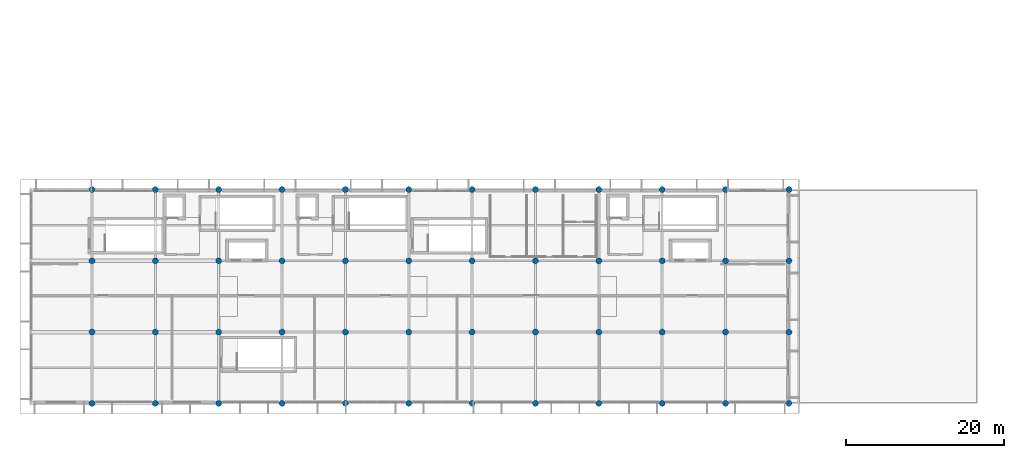
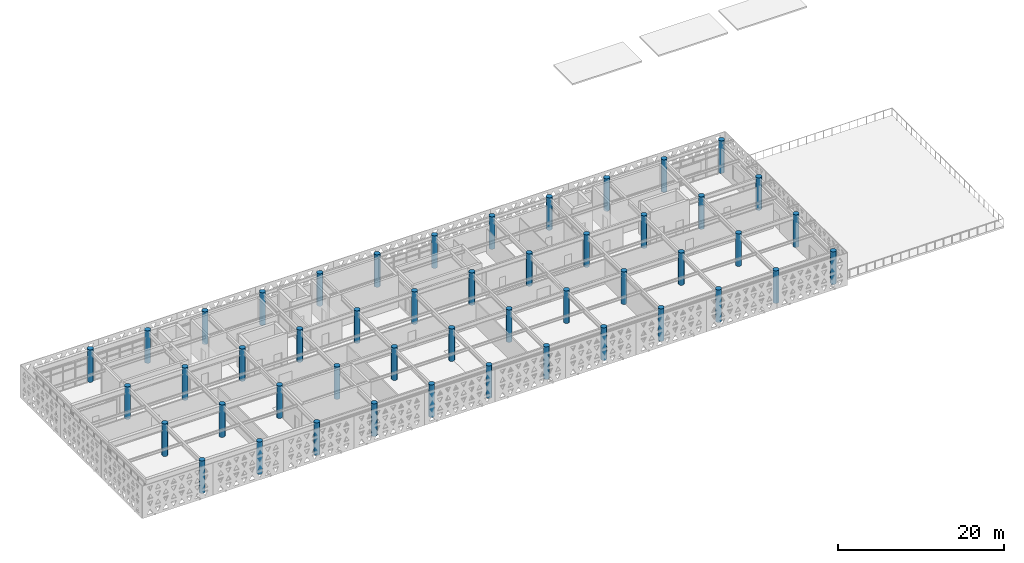
# One storey, part 1 of 26: 48 columns.
"""IFC4 building model written with IfcOpenShell, lengths in metres."""

from ifc_helpers import new_model, si_unit, direction, frame, origin, origin_2d, place, context, subcontext, project, spatial, circle, extrude, material, material_profile, profile_set, type_object, element, save


model = new_model("IFC4")

# Units and contexts
model_context = context("Model", 3, precision=1e-05, world=origin(), true_north=direction((0.0, 1.0)))
body_context = subcontext(model_context, "Body", "Model", "MODEL_VIEW")
ifc_project = project(units=[si_unit("LENGTHUNIT", "METRE"), si_unit("AREAUNIT", "SQUARE_METRE"), si_unit("VOLUMEUNIT", "CUBIC_METRE"), si_unit("PLANEANGLEUNIT", "RADIAN"), si_unit("MASSUNIT", "GRAM", prefix="KILO")], contexts=[model_context])

# Site, building, storey
site_placement = place(None, origin())
site = spatial("IfcSite", under=ifc_project, at=site_placement, CompositionType="ELEMENT")
building_placement = place(site_placement, origin())
building = spatial("IfcBuilding", under=site, at=building_placement, Name="Tlacozan Convention Centre", CompositionType="ELEMENT")
storey_placement = place(building_placement, frame((0.0, 0.0, 21.0)))
storey = spatial("IfcBuildingStorey", under=building, at=storey_placement, Name="L04", CompositionType="ELEMENT", Elevation=21.0)

# Columns
ifc_material = material(Name="Concrete C40/50", Category="concrete")
ifc_material_profile = material_profile(ifc_material, circle(Radius=0.375, at=origin_2d()), Name="RCC D750")
ifc_profile_set = profile_set([ifc_material_profile], Name="Concrete C40/50")
column_type = type_object("IfcColumnType", Name="Column Round RCC D750", PredefinedType="COLUMN", material=ifc_profile_set)
for number, where, z_axis, x_axis, name in (
    (1, (8.0, 0.0, 0.0), (0.0, 0.0, 1.0), (1.0, 0.0, 0.0), "L04 Column 42"),
    (2, (8.0, 9.0, 0.0), (0.0, 0.0, 1.0), (1.0, 0.0, 0.0), "L04 Column 48"),
    (3, (8.0, 18.0, 0.0), (0.0, 0.0, 1.0), (1.0, 0.0, 0.0), "L04 Column 54"),
    (4, (8.0, 27.0, 0.0), (0.0, 0.0, 1.0), (1.0, 0.0, 0.0), "L04 Column 60"),
    (5, (16.0, 0.0, 0.0), (0.0, 0.0, 1.0), (1.0, 0.0, 0.0), "L04 Column 91"),
    (6, (16.0, 9.0, 0.0), (0.0, 0.0, 1.0), (1.0, 0.0, 0.0), "L04 Column 97"),
    (7, (16.0, 18.0, 0.0), (0.0, 0.0, 1.0), (1.0, 0.0, 0.0), "L04 Column 103"),
    (8, (16.0, 27.0, 0.0), (0.0, 0.0, 1.0), (1.0, 0.0, 0.0), "L04 Column 109"),
    (9, (24.0, 0.0, 0.0), (0.0, 0.0, 1.0), (1.0, 0.0, 0.0), "L04 Column 140"),
    (10, (24.0, 9.0, 0.0), (0.0, 0.0, 1.0), (1.0, 0.0, 0.0), "L04 Column 146"),
    (11, (24.0, 18.0, 0.0), (0.0, 0.0, 1.0), (1.0, 0.0, 0.0), "L04 Column 152"),
    (12, (24.0, 27.0, 0.0), (0.0, 0.0, 1.0), (1.0, 0.0, 0.0), "L04 Column 158"),
    (13, (32.0, 0.0, 0.0), (0.0, 0.0, 1.0), (1.0, 0.0, 0.0), "L04 Column 201"),
    (14, (32.0, 9.0, 0.0), (0.0, 0.0, 1.0), (1.0, 0.0, 0.0), "L04 Column 207"),
    (15, (32.0, 18.0, 0.0), (0.0, 0.0, 1.0), (1.0, 0.0, 0.0), "L04 Column 213"),
    (16, (32.0, 27.0, 0.0), (0.0, 0.0, 1.0), (1.0, 0.0, 0.0), "L04 Column 219"),
    (17, (40.0, 0.0, 0.0), (0.0, 0.0, 1.0), (1.0, 0.0, 0.0), "L04 Column 238"),
    (18, (40.0, 9.0, 0.0), (0.0, 0.0, 1.0), (1.0, 0.0, 0.0), "L04 Column 244"),
    (19, (40.0, 18.0, 0.0), (0.0, 0.0, 1.0), (1.0, 0.0, 0.0), "L04 Column 250"),
    (20, (40.0, 27.0, 0.0), (0.0, 0.0, 1.0), (1.0, 0.0, 0.0), "L04 Column 256"),
    (21, (48.0, 0.0, 0.0), (0.0, 0.0, 1.0), (1.0, 0.0, 0.0), "L04 Column 275"),
    (22, (48.0, 9.0, 0.0), (0.0, 0.0, 1.0), (1.0, 0.0, 0.0), "L04 Column 281"),
    (23, (48.0, 18.0, 0.0), (0.0, 0.0, 1.0), (1.0, 0.0, 0.0), "L04 Column 287"),
    (24, (48.0, 27.0, 0.0), (0.0, 0.0, 1.0), (1.0, 0.0, 0.0), "L04 Column 293"),
    (25, (56.0, 0.0, 0.0), (0.0, 0.0, 1.0), (1.0, 0.0, 0.0), "L04 Column 312"),
    (26, (56.0, 9.0, 0.0), (0.0, 0.0, 1.0), (1.0, 0.0, 0.0), "L04 Column 318"),
    (27, (56.0, 18.0, 0.0), (0.0, 0.0, 1.0), (1.0, 0.0, 0.0), "L04 Column 324"),
    (28, (56.0, 27.0, 0.0), (0.0, 0.0, 1.0), (1.0, 0.0, 0.0), "L04 Column 330"),
    (29, (64.0, 0.0, 0.0), (0.0, 0.0, 1.0), (1.0, 0.0, 0.0), "L04 Column 349"),
    (30, (64.0, 9.0, 0.0), (0.0, 0.0, 1.0), (1.0, 0.0, 0.0), "L04 Column 355"),
    (31, (64.0, 18.0, 0.0), (0.0, 0.0, 1.0), (1.0, 0.0, 0.0), "L04 Column 361"),
    (32, (64.0, 27.0, 0.0), (0.0, 0.0, 1.0), (1.0, 0.0, 0.0), "L04 Column 367"),
    (33, (72.0, 0.0, 0.0), (0.0, 0.0, 1.0), (1.0, 0.0, 0.0), "L04 Column 386"),
    (34, (72.0, 9.0, 0.0), (0.0, 0.0, 1.0), (1.0, 0.0, 0.0), "L04 Column 392"),
    (35, (72.0, 18.0, 0.0), (0.0, 0.0, 1.0), (1.0, 0.0, 0.0), "L04 Column 398"),
    (36, (72.0, 27.0, 0.0), (0.0, 0.0, 1.0), (1.0, 0.0, 0.0), "L04 Column 404"),
    (37, (80.0, 0.0, 0.0), (0.0, 0.0, 1.0), (1.0, 0.0, 0.0), "L04 Column 423"),
    (38, (80.0, 9.0, 0.0), (0.0, 0.0, 1.0), (1.0, 0.0, 0.0), "L04 Column 429"),
    (39, (80.0, 18.0, 0.0), (0.0, 0.0, 1.0), (1.0, 0.0, 0.0), "L04 Column 435"),
    (40, (80.0, 27.0, 0.0), (0.0, 0.0, 1.0), (1.0, 0.0, 0.0), "L04 Column 441"),
    (41, (88.0, 0.0, 0.0), (0.0, 0.0, 1.0), (1.0, 0.0, 0.0), "L04 Column 460"),
    (42, (88.0, 9.0, 0.0), (0.0, 0.0, 1.0), (1.0, 0.0, 0.0), "L04 Column 466"),
    (43, (88.0, 18.0, 0.0), (0.0, 0.0, 1.0), (1.0, 0.0, 0.0), "L04 Column 472"),
    (44, (88.0, 27.0, 0.0), (0.0, 0.0, 1.0), (1.0, 0.0, 0.0), "L04 Column 478"),
    (45, (96.0, 0.0, 0.0), (0.0, 0.0, 1.0), (1.0, 0.0, 0.0), "L04 Column 509"),
    (46, (96.0, 9.0, 0.0), (0.0, 0.0, 1.0), (1.0, 0.0, 0.0), "L04 Column 515"),
    (47, (96.0, 18.0, 0.0), (0.0, 0.0, 1.0), (1.0, 0.0, 0.0), "L04 Column 521"),
    (48, (96.0, 27.0, 0.0), (0.0, 0.0, 1.0), (1.0, 0.0, 0.0), "L04 Column 527"),
):
    element("IfcColumn", number, at=place(storey_placement, frame(where, z_axis=z_axis, x_axis=x_axis)), inside=storey, type_object=column_type, Name=name, PredefinedType="COLUMN", context=body_context, shape_type="SweptSolid", body=[
        extrude(circle(Radius=0.375, at=origin_2d()), origin(), (0.0, 0.0, 1.0), 4.800048828125),
    ])

save(model, "model.ifc")
